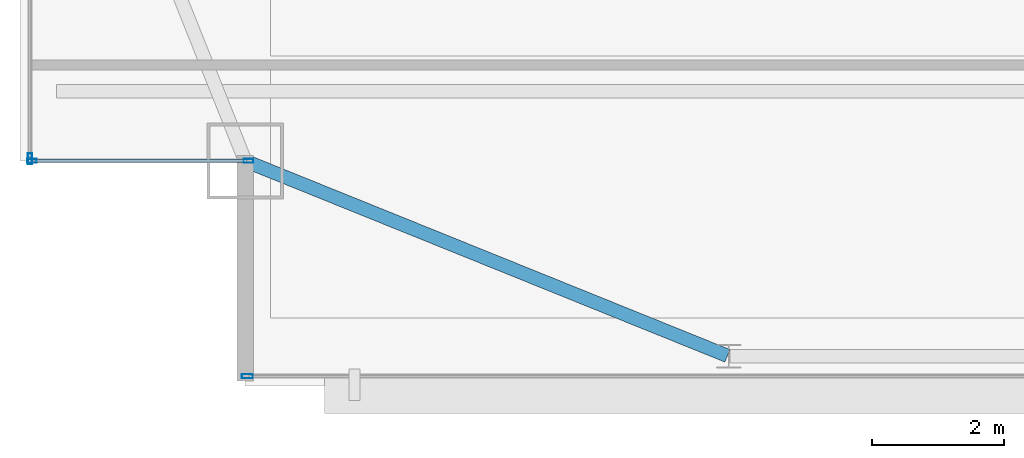
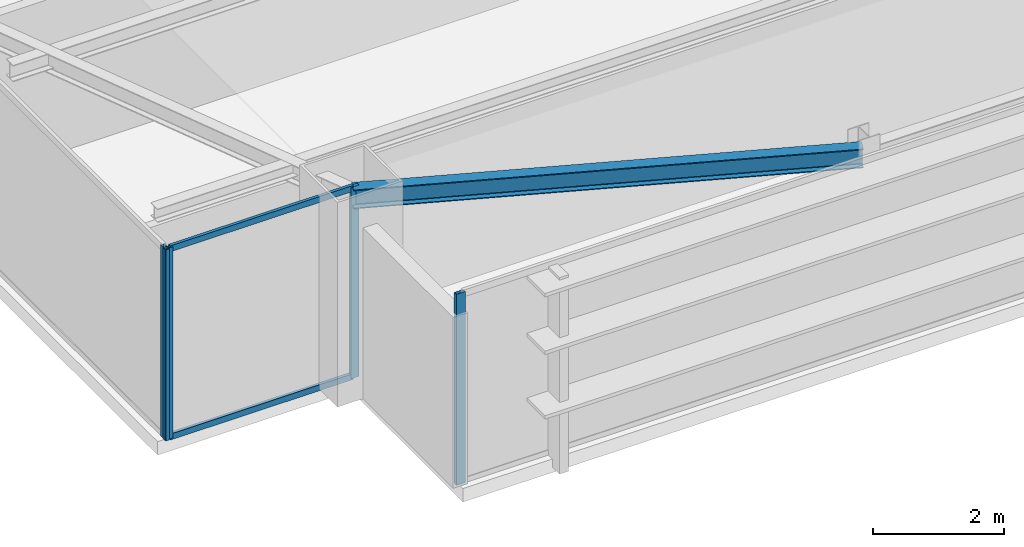
# One storey, part 4 of 26: 6 members, 1 beam, 3 elements without a shape of their own.
"""IFC4 building model written with IfcOpenShell, lengths in metres."""

from ifc_helpers import new_model, si_unit, direction, frame, origin, origin_2d, place, context, subcontext, project, spatial, hollow_rectangle, i_section, extrude, source, transform, mapped, material, layer, layer_set, material_profile, profile_set, type_object, type_shapes, element, aggregate, save


model = new_model("IFC4")

# Units and contexts
model_context = context("Model", 3, precision=1e-05, world=origin(), true_north=direction((0.0, 1.0)))
body_context = subcontext(model_context, "Body", "Model", "MODEL_VIEW")
ifc_project = project(units=[si_unit("LENGTHUNIT", "METRE"), si_unit("AREAUNIT", "SQUARE_METRE"), si_unit("VOLUMEUNIT", "CUBIC_METRE"), si_unit("PLANEANGLEUNIT", "RADIAN"), si_unit("MASSUNIT", "GRAM", prefix="KILO")], contexts=[model_context])

# Site, building, storey
site_placement = place(None, origin())
site = spatial("IfcSite", under=ifc_project, at=site_placement, CompositionType="ELEMENT")
building_placement = place(site_placement, origin())
building = spatial("IfcBuilding", under=site, at=building_placement, Name="Varnel Quay Broadcast Tower", CompositionType="ELEMENT")
storey_placement = place(building_placement, frame((0.0, 0.0, 218.800048828125)))
storey = spatial("IfcBuildingStorey", under=building, at=storey_placement, Name="L54", CompositionType="ELEMENT", Elevation=218.800048828125)

# Beam
ifc_material_1 = material(Name="Structural Steel CSA G40.21 350W", Category="steel")
ifc_material_profile_1 = material_profile(ifc_material_1, i_section(OverallWidth=0.205078125, OverallDepth=0.35400390625, WebThickness=0.009521484375, FlangeThickness=0.016845703125, FilletRadius=0.012939453125, at=origin_2d()), Name="W360X79")
ifc_profile_set_1 = profile_set([ifc_material_profile_1], Name="Structural Steel CSA G40.21 350W")
beam_type = type_object("IfcBeamType", Name="Beam_W360X79", PredefinedType="SPANDREL", material=ifc_profile_set_1)
shared_shape_1 = source(origin(), body_context, "Body", "SweptSolid", [
    extrude(i_section(OverallWidth=0.205078125, OverallDepth=0.35400390625, WebThickness=0.009521484375, FlangeThickness=0.016845703125, FilletRadius=0.012939453125, at=origin_2d()), origin(), (0.0, 0.0, 1.0), 7.83349609375),
])
type_shapes(beam_type, [shared_shape_1])
beam_placement = place(storey_placement, frame((12.91845703125, 13.592529296875, 3.373046875), z_axis=(0.927155449606, -0.374676890489, 0.0), x_axis=(0.374676890489, 0.927155449606, 0.0)))
element("IfcBeam", 1, at=beam_placement, inside=storey, type_object=beam_type, Name="L54 South Spandrel MC-SW-TC-S1", PredefinedType="SPANDREL", context=body_context, shape_type="MappedRepresentation", body=[
    mapped(shared_shape_1, transform((0.0, 0.0, 0.0), x_axis=(1.0, 0.0, 0.0), y_axis=(0.0, 1.0, 0.0), z_axis=(0.0, 0.0, 1.0), scale=1.0)),
])

# Curtain wall, members
ifc_material_2 = material(Name="Anodised Bronze Aluminium 6063-T6", Category="aluminium")
ifc_layer_1 = layer(ifc_material_2, 0.18994140625, Name="Anodised Bronze Aluminium 6063-T6")
ifc_layer_set_1 = layer_set([ifc_layer_1], Name="Anodised Bronze Aluminium 6063-T6")
curtain_wall_type_1 = type_object("IfcCurtainWallType", Name="CW_NotchCorner", PredefinedType="NOTDEFINED", material=ifc_layer_set_1)
curtain_wall_1_placement = place(storey_placement, origin())
curtain_wall_1 = element("IfcCurtainWall", 2, at=curtain_wall_1_placement, inside=storey, type_object=curtain_wall_type_1, Name="L54 SW Notch Curtain Wall", PredefinedType="NOTDEFINED")
ifc_material_profile_2 = material_profile(ifc_material_2, hollow_rectangle(XDim=0.06005859375, YDim=0.14501953125, WallThickness=0.00341796875, at=origin_2d()), Name="ALU60X145X3.5")
ifc_profile_set_2 = profile_set([ifc_material_profile_2], Name="Anodised Bronze Aluminium 6063-T6")
member_type_1 = type_object("IfcMemberType", Name="Mull_CWS-04", PredefinedType="MULLION", material=ifc_profile_set_2)
shared_shape_2 = source(origin(), body_context, "Body", "SweptSolid", [
    extrude(hollow_rectangle(XDim=0.06005859375, YDim=0.14501953125, WallThickness=0.00341796875, at=origin_2d()), origin(), (0.0, 0.0, 1.0), 3.550048828125),
])
type_shapes(member_type_1, [shared_shape_2])
member_1_placement = place(storey_placement, frame((9.679931640625, 13.60009765625, 0.0), z_axis=(0.0, 0.0, 1.0), x_axis=(0.0, 1.0, 0.0)))
member_1 = element("IfcMember", 3, at=member_1_placement, type_object=member_type_1, Name="CWS-04 mullion 1", PredefinedType="MULLION", context=body_context, shape_type="MappedRepresentation", body=[
    mapped(shared_shape_2, transform((0.0, 0.0, 0.0), x_axis=(1.0, 0.0, 0.0), y_axis=(0.0, 1.0, 0.0), z_axis=(0.0, 0.0, 1.0), scale=1.0)),
])
member_2_placement = place(storey_placement, frame((12.949951171875, 13.60009765625, 0.0), z_axis=(0.0, 0.0, 1.0), x_axis=(0.0, 1.0, 0.0)))
member_2 = element("IfcMember", 4, at=member_2_placement, type_object=member_type_1, Name="CWS-04 mullion 2", PredefinedType="MULLION", context=body_context, shape_type="MappedRepresentation", body=[
    mapped(shared_shape_2, transform((0.0, 0.0, 0.0), x_axis=(1.0, 0.0, 0.0), y_axis=(0.0, 1.0, 0.0), z_axis=(0.0, 0.0, 1.0), scale=1.0)),
])

# Curtain wall, member
ifc_layer_2 = layer(ifc_material_2, 0.18994140625, Name="Anodised Bronze Aluminium 6063-T6")
ifc_layer_set_2 = layer_set([ifc_layer_2], Name="Anodised Bronze Aluminium 6063-T6")
curtain_wall_type_2 = type_object("IfcCurtainWallType", Name="CW_UpperTower", PredefinedType="NOTDEFINED", material=ifc_layer_set_2)
curtain_wall_2_placement = place(storey_placement, origin())
curtain_wall_2 = element("IfcCurtainWall", 5, at=curtain_wall_2_placement, inside=storey, type_object=curtain_wall_type_2, Name="L54 South Unitised Curtain Wall 1", PredefinedType="NOTDEFINED")
ifc_material_profile_3 = material_profile(ifc_material_2, hollow_rectangle(XDim=0.06494140625, YDim=0.1650390625, WallThickness=0.00341796875, at=origin_2d()), Name="ALU65X165X3.5")
ifc_profile_set_3 = profile_set([ifc_material_profile_3], Name="Anodised Bronze Aluminium 6063-T6")
member_type_2 = type_object("IfcMemberType", Name="Mull_CWS-03", PredefinedType="MULLION", material=ifc_profile_set_3)
shared_shape_3 = source(origin(), body_context, "Body", "SweptSolid", [
    extrude(hollow_rectangle(XDim=0.06494140625, YDim=0.1650390625, WallThickness=0.00341796875, at=origin_2d()), origin(), (0.0, 0.0, 1.0), 3.550048828125),
])
type_shapes(member_type_2, [shared_shape_3])
member_3_placement = place(storey_placement, frame((12.9326171875, 10.35009765625, 0.0), z_axis=(0.0, 0.0, 1.0), x_axis=(0.0, 1.0, 0.0)))
member_3 = element("IfcMember", 6, at=member_3_placement, type_object=member_type_2, Name="CWS-03 mullion 1", PredefinedType="MULLION", context=body_context, shape_type="MappedRepresentation", body=[
    mapped(shared_shape_3, transform((0.0, 0.0, 0.0), x_axis=(1.0, 0.0, 0.0), y_axis=(0.0, 1.0, 0.0), z_axis=(0.0, 0.0, 1.0), scale=1.0)),
])
aggregate(curtain_wall_2, [member_3])

curtain_wall_3_placement = place(storey_placement, origin())
curtain_wall_3 = element("IfcCurtainWall", 7, at=curtain_wall_3_placement, inside=storey, type_object=curtain_wall_type_2, Name="L54 West Unitised Curtain Wall", PredefinedType="NOTDEFINED")
member_4_placement = place(storey_placement, frame((9.64990234375, 13.632568359375, 0.0), z_axis=(0.0, 0.0, 1.0), x_axis=(-1.0, 0.0, 0.0)))
member_4 = element("IfcMember", 8, at=member_4_placement, type_object=member_type_2, Name="CWS-03 mullion 1", PredefinedType="MULLION", context=body_context, shape_type="MappedRepresentation", body=[
    mapped(shared_shape_3, transform((0.0, 0.0, 0.0), x_axis=(1.0, 0.0, 0.0), y_axis=(0.0, 1.0, 0.0), z_axis=(0.0, 0.0, 1.0), scale=1.0)),
])
aggregate(curtain_wall_3, [member_4])

# Member
ifc_material_profile_4 = material_profile(ifc_material_2, hollow_rectangle(XDim=0.054931640625, YDim=0.110107421875, WallThickness=0.0029296875, at=origin_2d()), Name="ALU55X110X3")
ifc_profile_set_4 = profile_set([ifc_material_profile_4], Name="Anodised Bronze Aluminium 6063-T6")
member_type_3 = type_object("IfcMemberType", Name="Tran_CWS-04", PredefinedType="USERDEFINED", material=ifc_profile_set_4)
shared_shape_4 = source(origin(), body_context, "Body", "SweptSolid", [
    extrude(hollow_rectangle(XDim=0.054931640625, YDim=0.110107421875, WallThickness=0.0029296875, at=origin_2d()), origin(), (0.0, 0.0, 1.0), 3.2099609375),
])
type_shapes(member_type_3, [shared_shape_4])
member_5_placement = place(storey_placement, frame((9.7099609375, 13.60009765625, 0.02734375), z_axis=(1.0, 0.0, 0.0), x_axis=(0.0, 1.0, 0.0)))
member_5 = element("IfcMember", 9, at=member_5_placement, type_object=member_type_3, Name="CWS-04 transom 1.1", ObjectType="TRANSOM", PredefinedType="USERDEFINED", context=body_context, shape_type="MappedRepresentation", body=[
    mapped(shared_shape_4, transform((0.0, 0.0, 0.0), x_axis=(1.0, 0.0, 0.0), y_axis=(0.0, 1.0, 0.0), z_axis=(0.0, 0.0, 1.0), scale=1.0)),
])

member_6_placement = place(storey_placement, frame((9.7099609375, 13.60009765625, 3.5224609375), z_axis=(1.0, 0.0, 0.0), x_axis=(0.0, 1.0, 0.0)))
member_6 = element("IfcMember", 10, at=member_6_placement, type_object=member_type_3, Name="CWS-04 transom 1.2", ObjectType="TRANSOM", PredefinedType="USERDEFINED", context=body_context, shape_type="MappedRepresentation", body=[
    mapped(shared_shape_4, transform((0.0, 0.0, 0.0), x_axis=(1.0, 0.0, 0.0), y_axis=(0.0, 1.0, 0.0), z_axis=(0.0, 0.0, 1.0), scale=1.0)),
])

aggregate(curtain_wall_1, [member_1, member_2, member_5, member_6])

save(model, "model.ifc")
